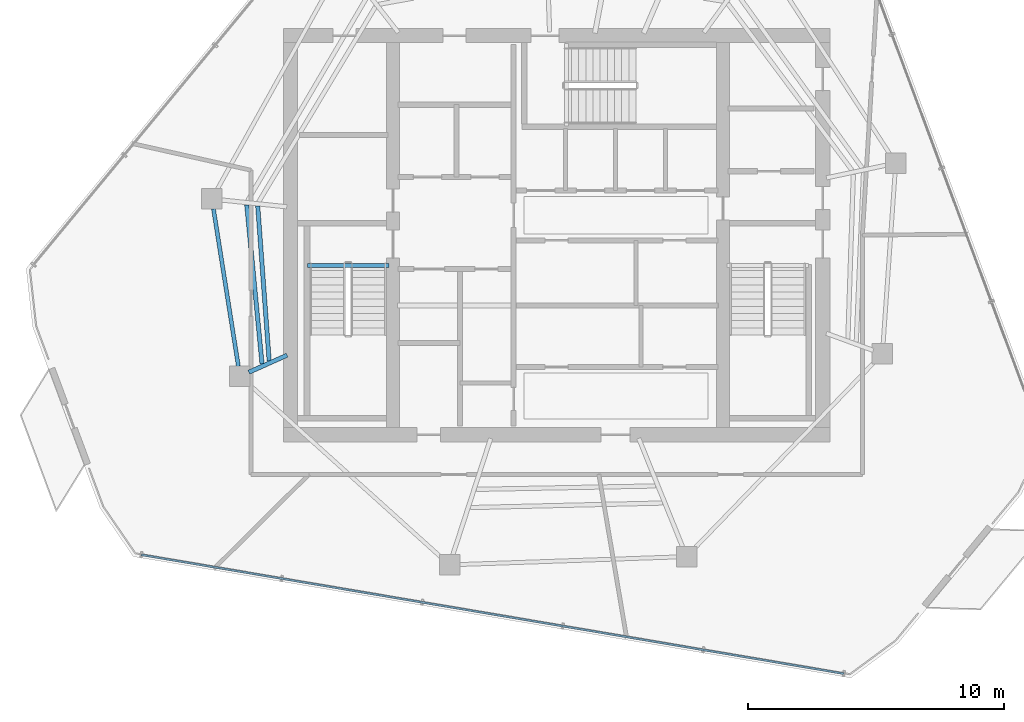
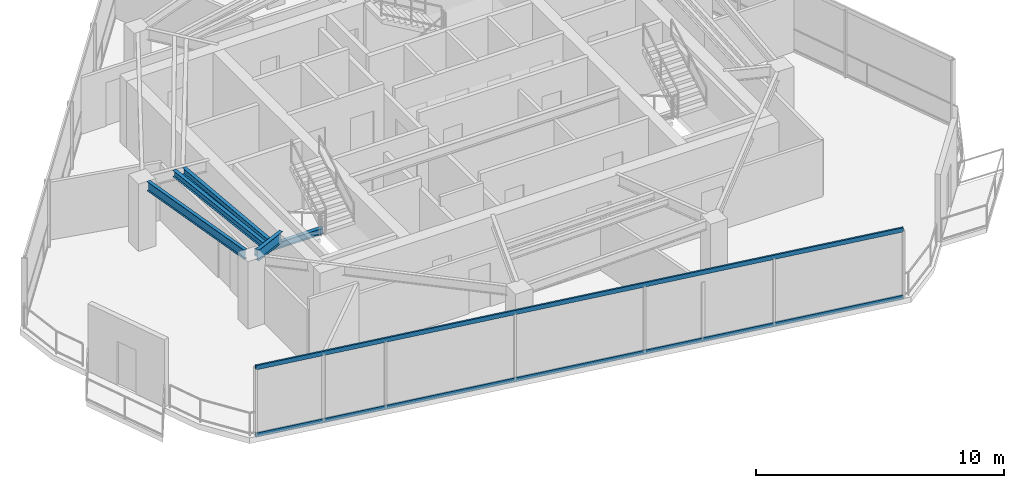
# One storey, part 3 of 19: 5 beams, 2 members, 1 element without a shape of its own.
"""IFC4 building model written with IfcOpenShell, lengths in metres."""

from ifc_helpers import new_model, si_unit, direction, frame, origin, origin_2d, place, context, subcontext, project, spatial, hollow_rectangle, i_section, extrude, material, layer, layer_set, material_profile, profile_set, type_object, element, aggregate, save


model = new_model("IFC4")

# Units and contexts
model_context = context("Model", 3, precision=1e-05, world=origin(), true_north=direction((0.0, 1.0)))
body_context = subcontext(model_context, "Body", "Model", "MODEL_VIEW")
ifc_project = project(units=[si_unit("LENGTHUNIT", "METRE"), si_unit("AREAUNIT", "SQUARE_METRE"), si_unit("VOLUMEUNIT", "CUBIC_METRE"), si_unit("PLANEANGLEUNIT", "RADIAN"), si_unit("MASSUNIT", "GRAM", prefix="KILO")], contexts=[model_context])

# Site, building, storey
site_placement = place(None, origin())
site = spatial("IfcSite", under=ifc_project, at=site_placement, CompositionType="ELEMENT")
building_placement = place(site_placement, origin())
building = spatial("IfcBuilding", under=site, at=building_placement, Name="Qarnah Convention Tower", CompositionType="ELEMENT")
storey_placement = place(building_placement, frame((0.0, 0.0, 257.10009765625)))
storey = spatial("IfcBuildingStorey", under=building, at=storey_placement, Name="L69", CompositionType="ELEMENT", Elevation=257.10009765625)

# Beams
ifc_material_1 = material(Name="Structural steel S355JR", Category="steel")
ifc_material_profile_1 = material_profile(ifc_material_1, i_section(OverallWidth=0.166015625, OverallDepth=0.31201171875, WebThickness=0.007080078125, FlangeThickness=0.010986328125, at=origin_2d()), Name="W310X45")
ifc_profile_set_1 = profile_set([ifc_material_profile_1], Name="Structural steel S355JR")
beam_type_1 = type_object("IfcBeamType", Name="BM-JST-W310", PredefinedType="JOIST", material=ifc_profile_set_1)
beam_1_placement = place(storey_placement, frame((27.4599609375, 25.217041015625, -0.156005859375), z_axis=(1.0, 0.0, 0.0), x_axis=(0.0, 1.0, 0.0)))
element("IfcBeam", 1, at=beam_1_placement, inside=storey, type_object=beam_type_1, Name="L69 stair landing trimmer beam BM-L69-ST1-TRM", PredefinedType="BEAM", context=body_context, shape_type="SweptSolid", body=[
    extrude(i_section(OverallWidth=0.166015625, OverallDepth=0.31201171875, WebThickness=0.007080078125, FlangeThickness=0.010986328125, at=origin_2d()), origin(), (0.0, 0.0, 1.0), 3.179931640625),
])
beam_2_placement = place(storey_placement, frame((25.0859375, 27.583984375, 3.163818359375), z_axis=(0.095613342709, -0.995418549504, 0.0), x_axis=(0.995418549504, 0.095613342709, 0.0)))
element("IfcBeam", 2, at=beam_2_placement, inside=storey, type_object=beam_type_1, Name="L69 joist BM-L69-SJST-05", PredefinedType="JOIST", context=body_context, shape_type="SweptSolid", body=[
    extrude(i_section(OverallWidth=0.166015625, OverallDepth=0.31201171875, WebThickness=0.007080078125, FlangeThickness=0.010986328125, at=origin_2d()), origin(), (0.0, 0.0, 1.0), 6.24560546875),
])
beam_3_placement = place(storey_placement, frame((25.514892578125, 27.5390625, 3.163818359375), z_axis=(0.073698218425, -0.997280588702, 0.0), x_axis=(0.997280588702, 0.073698218425, 0.0)))
element("IfcBeam", 3, at=beam_3_placement, inside=storey, type_object=beam_type_1, Name="L69 joist BM-L69-IJST-05", PredefinedType="JOIST", context=body_context, shape_type="SweptSolid", body=[
    extrude(i_section(OverallWidth=0.166015625, OverallDepth=0.31201171875, WebThickness=0.007080078125, FlangeThickness=0.010986328125, at=origin_2d()), origin(), (0.0, 0.0, 1.0), 6.065673828125),
])
ifc_material_profile_2 = material_profile(ifc_material_1, i_section(OverallWidth=0.166015625, OverallDepth=0.535888671875, WebThickness=0.010009765625, FlangeThickness=0.01708984375, at=origin_2d()), Name="W530X85")
ifc_profile_set_2 = profile_set([ifc_material_profile_2], Name="Structural steel S355JR")
beam_type_2 = type_object("IfcBeamType", Name="BM-RAD-W530B", PredefinedType="BEAM", material=ifc_profile_set_2)
beam_4_placement = place(storey_placement, frame((26.6630859375, 21.708984375, 3.052001953125), z_axis=(-0.913688456795, -0.406415309652, 0.0), x_axis=(0.406415309652, -0.913688456795, 0.0)))
element("IfcBeam", 4, at=beam_4_placement, inside=storey, type_object=beam_type_2, Name="L69 beam BM-L69-RAD-06", PredefinedType="BEAM", context=body_context, shape_type="SweptSolid", body=[
    extrude(i_section(OverallWidth=0.166015625, OverallDepth=0.535888671875, WebThickness=0.010009765625, FlangeThickness=0.01708984375, at=origin_2d()), origin(), (0.0, 0.0, 1.0), 1.636474609375),
])
ifc_material_profile_3 = material_profile(ifc_material_1, i_section(OverallWidth=0.154052734375, OverallDepth=0.4599609375, WebThickness=0.009033203125, FlangeThickness=0.014892578125, at=origin_2d()), Name="W460X68")
ifc_profile_set_3 = profile_set([ifc_material_profile_3], Name="Structural steel S355JR")
beam_type_3 = type_object("IfcBeamType", Name="BM-SPN-W460B", PredefinedType="SPANDREL", material=ifc_profile_set_3)
beam_5_placement = place(storey_placement, frame((23.784912109375, 27.430908203125, 3.08984375), z_axis=(0.156423110156, -0.987690138965, 0.0), x_axis=(0.987690138965, 0.156423110156, 0.0)))
element("IfcBeam", 5, at=beam_5_placement, inside=storey, type_object=beam_type_3, Name="L69 spandrel BM-L69-SPN-05", PredefinedType="SPANDREL", context=body_context, shape_type="SweptSolid", body=[
    extrude(i_section(OverallWidth=0.154052734375, OverallDepth=0.4599609375, WebThickness=0.009033203125, FlangeThickness=0.014892578125, at=origin_2d()), origin(), (0.0, 0.0, 1.0), 6.233642578125),
])

# Curtain wall, members
ifc_material_2 = material(Name="Tempered Low-E dark glass", Category="glass")
ifc_layer = layer(ifc_material_2, 0.176025390625)
ifc_layer_set = layer_set([ifc_layer], Name="Tempered Low-E dark glass")
curtain_wall_type = type_object("IfcCurtainWallType", Name="CWS-05", PredefinedType="NOTDEFINED", material=ifc_layer_set)
curtain_wall_placement = place(storey_placement, origin())
curtain_wall = element("IfcCurtainWall", 6, at=curtain_wall_placement, inside=storey, type_object=curtain_wall_type, Name="L69 unitised curtain wall CW-L69-F1", PredefinedType="NOTDEFINED")
ifc_material_3 = material(Name="Black anodised aluminium", Category="aluminium")
ifc_material_profile_4 = material_profile(ifc_material_3, hollow_rectangle(XDim=0.080078125, YDim=0.2099609375, WallThickness=0.0048828125, at=origin_2d()), Name="TRN-80X210")
ifc_profile_set_4 = profile_set([ifc_material_profile_4], Name="Black anodised aluminium")
member_type = type_object("IfcMemberType", Name="TRN-T5", PredefinedType="USERDEFINED", material=ifc_profile_set_4)
member_1_placement = place(storey_placement, frame((48.424072265625, 9.260986328125, 0.0), z_axis=(-0.985992997473, 0.166786716899, 0.0), x_axis=(-0.166786716899, -0.985992997473, 0.0)))
member_1 = element("IfcMember", 7, at=member_1_placement, type_object=member_type, Name="CW-L69-F1 transom 1", ObjectType="TRANSOM", PredefinedType="USERDEFINED", context=body_context, shape_type="SweptSolid", body=[
    extrude(hollow_rectangle(XDim=0.080078125, YDim=0.2099609375, WallThickness=0.0048828125, at=origin_2d()), origin(), (0.0, 0.0, 1.0), 27.85009765625),
])
member_2_placement = place(storey_placement, frame((48.424072265625, 9.260986328125, 3.31982421875), z_axis=(-0.985992997473, 0.166786716899, 0.0), x_axis=(-0.166786716899, -0.985992997473, 0.0)))
member_2 = element("IfcMember", 8, at=member_2_placement, type_object=member_type, Name="CW-L69-F1 transom 2", ObjectType="TRANSOM", PredefinedType="USERDEFINED", context=body_context, shape_type="SweptSolid", body=[
    extrude(hollow_rectangle(XDim=0.080078125, YDim=0.2099609375, WallThickness=0.0048828125, at=origin_2d()), origin(), (0.0, 0.0, 1.0), 27.85009765625),
])
aggregate(curtain_wall, [member_1, member_2])

save(model, "model.ifc")
